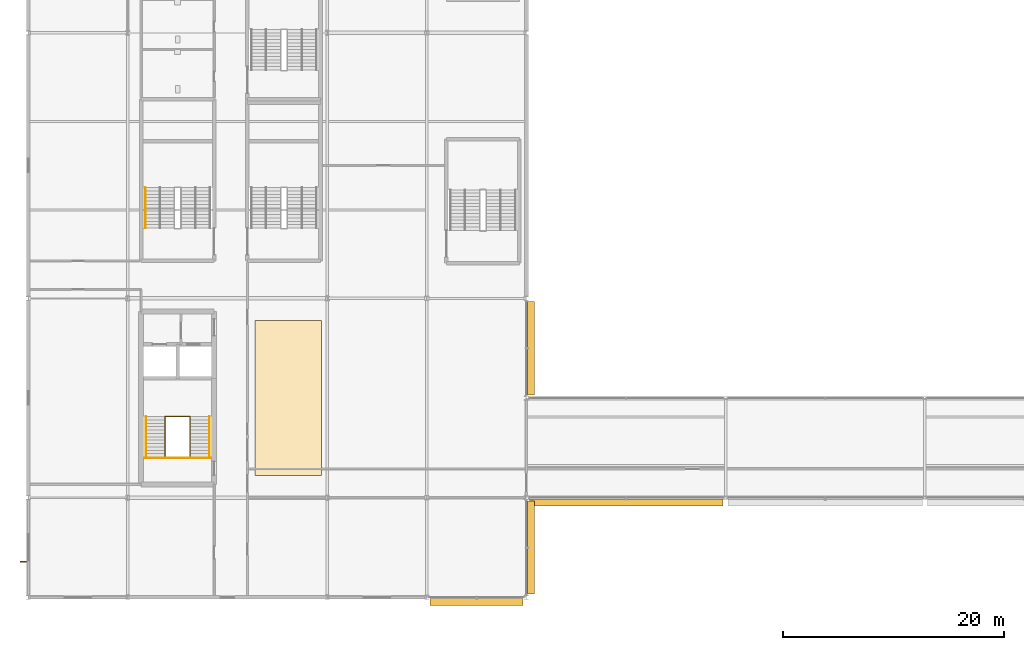
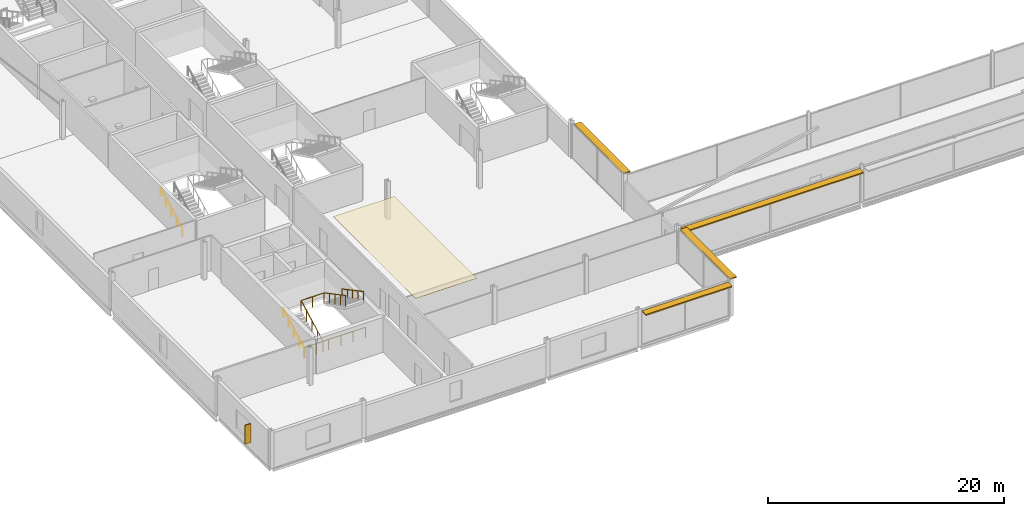
# One storey, part 89 of 98: 5 railings, 5 shading devices, 1 covering.
"""IFC4 building model written with IfcOpenShell, lengths in metres."""

from ifc_helpers import new_model, si_unit, direction, frame, origin, origin_2d, place, context, subcontext, project, spatial, polyline, rectangle, circle, outline, extrude, material, layer, layer_set, type_object, element, save


model = new_model("IFC4")

# Units and contexts
model_context = context("Model", 3, precision=1e-05, world=origin(), true_north=direction((0.0, 1.0)))
body_context = subcontext(model_context, "Body", "Model", "MODEL_VIEW")
ifc_project = project(units=[si_unit("LENGTHUNIT", "METRE"), si_unit("AREAUNIT", "SQUARE_METRE"), si_unit("VOLUMEUNIT", "CUBIC_METRE"), si_unit("PLANEANGLEUNIT", "RADIAN"), si_unit("MASSUNIT", "GRAM", prefix="KILO")], contexts=[model_context])

# Site, building, storey
site_placement = place(None, origin())
site = spatial("IfcSite", under=ifc_project, at=site_placement, CompositionType="ELEMENT")
building_placement = place(site_placement, origin())
building = spatial("IfcBuilding", under=site, at=building_placement, Name="Kisiwana Market Hall", CompositionType="ELEMENT")
storey_placement = place(building_placement, frame((0.0, 0.0, 29.39990234375)))
storey = spatial("IfcBuildingStorey", under=building, at=storey_placement, Name="L06", CompositionType="ELEMENT", Elevation=29.39990234375)

# Covering
ifc_material_1 = material(Name="Mineral-fibre acoustic ceiling board")
ifc_layer = layer(ifc_material_1, 0.02490234375)
ifc_layer_set = layer_set([ifc_layer], Name="COV-CEIL-AC")
covering_type = type_object("IfcCoveringType", Name="COV-CEIL-AC", PredefinedType="CEILING", material=ifc_layer_set)
covering_placement = place(storey_placement, frame((0.0, 0.0, 3.59521484375)))
element("IfcCovering", 1, at=covering_placement, inside=storey, type_object=covering_type, Name="Acoustic ceiling grid L06-017", PredefinedType="CEILING", context=body_context, shape_type="SweptSolid", body=[
    extrude(outline(polyline([(20.5, 20.0), (26.5, 20.0), (26.5, 34.0), (20.5, 34.0), (20.5, 20.0)])), origin(), (0.0, 0.0, 1.0), 0.02490234375),
])

# Railings
ifc_material_2 = material(Name="Steel S275", Category="steel")
railing_type_1 = type_object("IfcRailingType", Name="RL-GUARD-1100", PredefinedType="GUARDRAIL", material=ifc_material_2)
railing_1_placement = place(storey_placement, frame((12.375, 21.674560546875, 0.0)))
element("IfcRailing", 2, at=railing_1_placement, inside=storey, type_object=railing_type_1, Name="Stair ST-W2-L06 inner-well guardrail (RL-951)", PredefinedType="GUARDRAIL", context=body_context, shape_type="SweptSolid", body=[
    extrude(circle(Radius=0.02392578125, at=origin_2d()), frame((0.0, 0.0, 1.076171875), z_axis=(0.0, 0.882528880096, 0.470258201201), x_axis=(-1.0, 0.0, 0.0)), (0.0, 0.0, 1.0), 4.14697265625),
    extrude(circle(Radius=0.02392578125, at=origin_2d()), frame((0.0, 3.659912109375, 3.0263671875), z_axis=(1.0, 0.0, 0.0), x_axis=(0.0, 1.0, 0.0)), (0.0, 0.0, 1.0), 2.25),
    extrude(circle(Radius=0.02392578125, at=origin_2d()), frame((2.25, 3.659912109375, 3.0263671875), z_axis=(0.0, -0.88255331184, 0.47021234752), x_axis=(1.0, 0.0, 0.0)), (0.0, 0.0, 1.0), 4.14697265625),
    extrude(circle(Radius=0.02099609375, at=origin_2d()), origin(), (0.0, 0.0, 1.0), 1.052001953125),
    extrude(circle(Radius=0.02099609375, at=origin_2d()), frame((0.0, 0.9150390625, 0.487548828125)), (0.0, 0.0, 1.0), 1.052001953125),
    extrude(circle(Radius=0.02099609375, at=origin_2d()), frame((0.0, 1.830078125, 0.97509765625)), (0.0, 0.0, 1.0), 1.052001953125),
    extrude(circle(Radius=0.02099609375, at=origin_2d()), frame((0.0, 2.744873046875, 1.462646484375)), (0.0, 0.0, 1.0), 1.052001953125),
    extrude(circle(Radius=0.02099609375, at=origin_2d()), frame((0.0, 3.659912109375, 1.9501953125)), (0.0, 0.0, 1.0), 1.052001953125),
    extrude(circle(Radius=0.02099609375, at=origin_2d()), frame((1.125, 3.659912109375, 1.9501953125)), (0.0, 0.0, 1.0), 1.052001953125),
    extrude(circle(Radius=0.02099609375, at=origin_2d()), frame((2.25, 3.659912109375, 1.9501953125)), (0.0, 0.0, 1.0), 1.052001953125),
    extrude(circle(Radius=0.02099609375, at=origin_2d()), frame((2.25, 2.744873046875, 2.437744140625)), (0.0, 0.0, 1.0), 1.052001953125),
    extrude(circle(Radius=0.02099609375, at=origin_2d()), frame((2.25, 1.830078125, 2.92529296875)), (0.0, 0.0, 1.0), 1.052001953125),
    extrude(circle(Radius=0.02099609375, at=origin_2d()), frame((2.25, 0.9150390625, 3.41259765625)), (0.0, 0.0, 1.0), 1.052001953125),
    extrude(circle(Radius=0.02099609375, at=origin_2d()), frame((2.25, 0.0, 3.900146484375)), (0.0, 0.0, 1.0), 1.052001953125),
])
railing_2_placement = place(storey_placement, frame((10.5048828125, 21.594482421875, 0.0)))
element("IfcRailing", 3, at=railing_2_placement, inside=storey, type_object=railing_type_1, Name="Stair ST-W2-L06 landing edge guardrail (RL-954)", PredefinedType="GUARDRAIL", context=body_context, shape_type="SweptSolid", body=[
    extrude(circle(Radius=0.02392578125, at=origin_2d()), frame((0.0, 0.0, 1.076171875), z_axis=(1.0, 0.0, 0.0), x_axis=(0.0, 1.0, 0.0)), (0.0, 0.0, 1.0), 5.990234375),
    extrude(circle(Radius=0.02099609375, at=origin_2d()), origin(), (0.0, 0.0, 1.0), 1.052001953125),
    extrude(circle(Radius=0.02099609375, at=origin_2d()), frame((1.197998046875, 0.0, 0.0)), (0.0, 0.0, 1.0), 1.052001953125),
    extrude(circle(Radius=0.02099609375, at=origin_2d()), frame((2.39599609375, 0.0, 0.0)), (0.0, 0.0, 1.0), 1.052001953125),
    extrude(circle(Radius=0.02099609375, at=origin_2d()), frame((3.59423828125, 0.0, 0.0)), (0.0, 0.0, 1.0), 1.052001953125),
    extrude(circle(Radius=0.02099609375, at=origin_2d()), frame((4.792236328125, 0.0, 0.0)), (0.0, 0.0, 1.0), 1.052001953125),
    extrude(circle(Radius=0.02099609375, at=origin_2d()), frame((5.990234375, 0.0, 0.0)), (0.0, 0.0, 1.0), 1.052001953125),
])
ifc_material_3 = material(Name="Steel S275", Category="steel")
railing_type_2 = type_object("IfcRailingType", Name="RL-HAND-900", PredefinedType="HANDRAIL", material=ifc_material_3)
railing_3_placement = place(storey_placement, frame((10.635009765625, 21.674560546875, 0.0)))
element("IfcRailing", 4, at=railing_3_placement, inside=storey, type_object=railing_type_2, Name="Stair ST-W2-L06 flight 1 handrail (RL-952)", PredefinedType="HANDRAIL", context=body_context, shape_type="SweptSolid", body=[
    extrude(circle(Radius=0.02392578125, at=origin_2d()), frame((0.0, 0.0, 0.8759765625), z_axis=(0.0, 0.882528880096, 0.470258201201), x_axis=(-1.0, 0.0, 0.0)), (0.0, 0.0, 1.0), 4.14697265625),
    extrude(circle(Radius=0.02099609375, at=origin_2d()), origin(), (0.0, 0.0, 1.0), 0.851806640625),
    extrude(circle(Radius=0.02099609375, at=origin_2d()), frame((0.0, 0.9150390625, 0.487548828125)), (0.0, 0.0, 1.0), 0.851806640625),
    extrude(circle(Radius=0.02099609375, at=origin_2d()), frame((0.0, 1.830078125, 0.97509765625)), (0.0, 0.0, 1.0), 0.851806640625),
    extrude(circle(Radius=0.02099609375, at=origin_2d()), frame((0.0, 2.744873046875, 1.462646484375)), (0.0, 0.0, 1.0), 0.851806640625),
    extrude(circle(Radius=0.02099609375, at=origin_2d()), frame((0.0, 3.659912109375, 1.9501953125)), (0.0, 0.0, 1.0), 0.851806640625),
])
railing_4_placement = place(storey_placement, frame((16.364990234375, 25.33447265625, 1.9501953125)))
element("IfcRailing", 5, at=railing_4_placement, inside=storey, type_object=railing_type_2, Name="Stair ST-W2-L06 flight 2 handrail (RL-953)", PredefinedType="HANDRAIL", context=body_context, shape_type="SweptSolid", body=[
    extrude(circle(Radius=0.02392578125, at=origin_2d()), frame((0.0, 0.0, 0.8759765625), z_axis=(0.0, -0.88255331184, 0.47021234752), x_axis=(1.0, 0.0, 0.0)), (0.0, 0.0, 1.0), 4.14697265625),
    extrude(circle(Radius=0.02099609375, at=origin_2d()), origin(), (0.0, 0.0, 1.0), 0.851806640625),
    extrude(circle(Radius=0.02099609375, at=origin_2d()), frame((0.0, -0.9150390625, 0.487548828125)), (0.0, 0.0, 1.0), 0.851806640625),
    extrude(circle(Radius=0.02099609375, at=origin_2d()), frame((0.0, -1.830078125, 0.97509765625)), (0.0, 0.0, 1.0), 0.851806640625),
    extrude(circle(Radius=0.02099609375, at=origin_2d()), frame((0.0, -2.744873046875, 1.46240234375)), (0.0, 0.0, 1.0), 0.851806640625),
    extrude(circle(Radius=0.02099609375, at=origin_2d()), frame((0.0, -3.659912109375, 1.949951171875)), (0.0, 0.0, 1.0), 0.851806640625),
])
railing_5_placement = place(storey_placement, frame((10.570068359375, 42.360107421875, 0.0)))
element("IfcRailing", 6, at=railing_5_placement, inside=storey, type_object=railing_type_2, Name="Stair ST-W3-L06 flight 1 handrail (RL-968)", PredefinedType="HANDRAIL", context=body_context, shape_type="SweptSolid", body=[
    extrude(circle(Radius=0.02392578125, at=origin_2d()), frame((0.0, 0.0, 0.8759765625), z_axis=(0.0, 0.882528880096, 0.470258201201), x_axis=(-1.0, 0.0, 0.0)), (0.0, 0.0, 1.0), 4.14697265625),
    extrude(circle(Radius=0.02099609375, at=origin_2d()), origin(), (0.0, 0.0, 1.0), 0.851806640625),
    extrude(circle(Radius=0.02099609375, at=origin_2d()), frame((0.0, 0.9150390625, 0.487548828125)), (0.0, 0.0, 1.0), 0.851806640625),
    extrude(circle(Radius=0.02099609375, at=origin_2d()), frame((0.0, 1.830078125, 0.97509765625)), (0.0, 0.0, 1.0), 0.851806640625),
    extrude(circle(Radius=0.02099609375, at=origin_2d()), frame((0.0, 2.744873046875, 1.462646484375)), (0.0, 0.0, 1.0), 0.851806640625),
    extrude(circle(Radius=0.02099609375, at=origin_2d()), frame((0.0, 3.659912109375, 1.9501953125)), (0.0, 0.0, 1.0), 0.851806640625),
])

# Shading devices
ifc_material_4 = material(Name="Aluminium alloy 6063-T6", Category="aluminium")
shading_device_type_1 = type_object("IfcShadingDeviceType", Name="SHD-JALOUSIE-H", PredefinedType="JALOUSIE", material=ifc_material_4)
shading_device_1_placement = place(storey_placement, frame((40.5, 8.580078125, 3.43994140625), z_axis=(0.0, 0.0, 1.0), x_axis=(1.0, 0.0, 0.0)))
element("IfcShadingDevice", 7, at=shading_device_1_placement, inside=storey, type_object=shading_device_type_1, Name="Aluminium brise-soleil louvre SHD-127 SD-127", PredefinedType="JALOUSIE", context=body_context, shape_type="SweptSolid", body=[
    extrude(rectangle(XDim=8.429443359375, YDim=0.64990234375, at=origin_2d()), origin(), (0.0, 0.0, 1.0), 0.1201171875),
])
shading_device_2_placement = place(storey_placement, frame((54.030029296875, 17.580078125, 3.43994140625), z_axis=(0.0, 0.0, 1.0), x_axis=(1.0, 0.0, 0.0)))
element("IfcShadingDevice", 8, at=shading_device_2_placement, inside=storey, type_object=shading_device_type_1, Name="Aluminium brise-soleil louvre SHD-130 SD-130", PredefinedType="JALOUSIE", context=body_context, shape_type="SweptSolid", body=[
    extrude(rectangle(XDim=17.48974609375, YDim=0.64990234375, at=origin_2d()), origin(), (0.0, 0.0, 1.0), 0.1201171875),
])
for number, where, z_axis, x_axis, name in (
    (9, (45.419921875, 13.5, 3.43994140625), (0.0, 0.0, 1.0), (0.0, 1.0, 0.0), "Aluminium brise-soleil louvre SHD-145 SD-145"),
    (10, (45.419921875, 31.5, 3.43994140625), (0.0, 0.0, 1.0), (0.0, 1.0, 0.0), "Aluminium brise-soleil louvre SHD-146 SD-146"),
):
    element("IfcShadingDevice", number, at=place(storey_placement, frame(where, z_axis=z_axis, x_axis=x_axis)), inside=storey, type_object=shading_device_type_1, Name=name, PredefinedType="JALOUSIE", context=body_context, shape_type="SweptSolid", body=[
        extrude(rectangle(XDim=8.43798828125, YDim=0.64990234375, at=origin_2d()), origin(), (0.0, 0.0, 1.0), 0.1201171875),
    ])
ifc_material_5 = material(Name="Aluminium alloy 6063-T6", Category="aluminium")
shading_device_type_2 = type_object("IfcShadingDeviceType", Name="SHD-SHUTTER-V", PredefinedType="SHUTTER", material=ifc_material_5)
shading_device_3_placement = place(storey_placement, frame((-0.445068359375, 12.219970703125, 0.7001953125), z_axis=(0.0, 0.0, 1.0), x_axis=(0.0, 1.0, 0.0)))
element("IfcShadingDevice", 11, at=shading_device_3_placement, inside=storey, type_object=shading_device_type_2, Name="Vertical solar fin SHD-142 SD-142", PredefinedType="SHUTTER", context=body_context, shape_type="SweptSolid", body=[
    extrude(rectangle(XDim=0.1201171875, YDim=0.550048828125, at=origin_2d()), origin(), (0.0, 0.0, 1.0), 1.949951171875),
])

save(model, "model.ifc")
